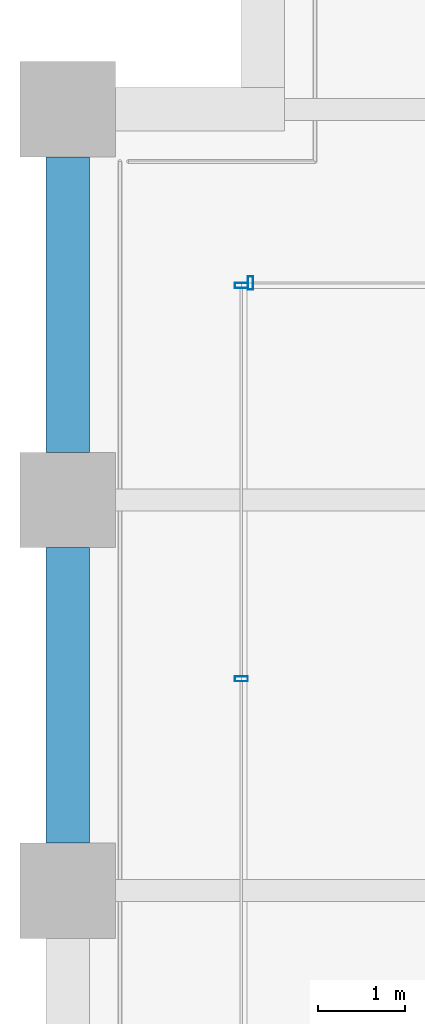
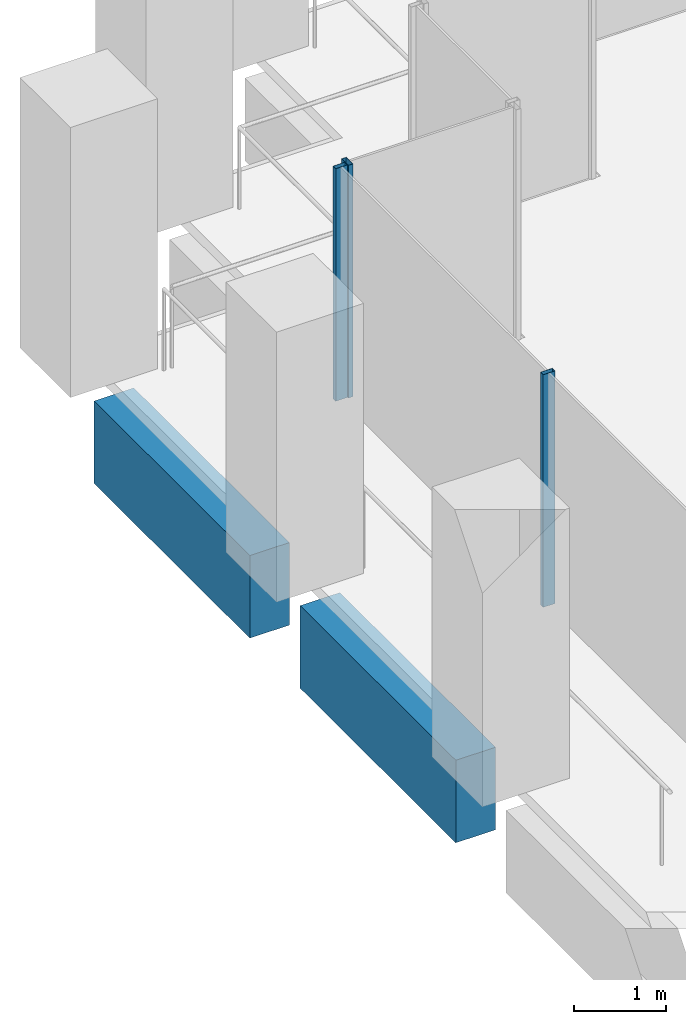
# One storey, part 23 of 54: 3 members, 2 beams, 2 elements without a shape of their own.
"""IFC4 building model written with IfcOpenShell, lengths in metres."""

import ifcopenshell
import ifcopenshell.guid

model = None  # the IFC model being written
_history = None  # IfcOwnerHistory: only IFC2X3 demands one
_inside = {}  # id of a spatial element -> (the spatial element, [elements in it])
_under = {}  # id of a project, library or spatial element -> (it, [spatial elements below it])
_declared = {}  # id of a project -> (the project, [libraries it declares])
_typed = {}  # id of a type object -> (the type object, [elements of that type])
_made_of = {}  # id of a material, layer set ... -> (it, [elements and type objects made of it])


def new_model(schema):
    """Start an empty IFC model of exactly this schema.

    Asked for "IFC4X3", IfcOpenShell would pick the latest addendum, in which some entities
    have other attributes; the version numbers below select the first issue.
    IFC2X3 requires an IfcOwnerHistory on every rooted entity: one is made here for all.
    """
    global model, _history
    if schema == "IFC4X3":
        model = ifcopenshell.file(schema_version=(4, 3, 0, 0))
    else:
        model = ifcopenshell.file(schema=schema)
    _inside.clear()
    _under.clear()
    _declared.clear()
    _typed.clear()
    _made_of.clear()
    _history = None
    if model.schema == "IFC2X3":
        org = make("IfcOrganization", Name="unknown")
        user = make(
            "IfcPersonAndOrganization",
            ThePerson=make("IfcPerson", FamilyName="unknown"),
            TheOrganization=org,
        )
        app = make(
            "IfcApplication",
            ApplicationDeveloper=org,
            Version="unknown",
            ApplicationFullName="unknown",
            ApplicationIdentifier="unknown",
        )
        _history = make(
            "IfcOwnerHistory",
            OwningUser=user,
            OwningApplication=app,
            ChangeAction="ADDED",
            CreationDate=0,
        )
    return model


def make(cls, **values):
    """One entity of the class cls with the attributes given. An attribute that is None is left unset."""
    return model.create_entity(
        cls, **{name: value for name, value in values.items() if value is not None}
    )


def rooted(cls, **values):
    """An entity with a GlobalId (a new one), such as an element, a storey or a relation."""
    return make(cls, GlobalId=ifcopenshell.guid.new(), OwnerHistory=_history, **values)


def si_unit(unit_type, name, prefix=None):
    """IfcSIUnit, for example si_unit("LENGTHUNIT", "METRE", prefix="MILLI")."""
    return make("IfcSIUnit", UnitType=unit_type, Prefix=prefix, Name=name)


def assignment(units):
    """IfcUnitAssignment: the units of a project."""
    return None if units is None else make("IfcUnitAssignment", Units=units)


def point(xyz):
    """IfcCartesianPoint."""
    return None if xyz is None else make("IfcCartesianPoint", Coordinates=xyz)


def direction(xyz):
    """IfcDirection."""
    return None if xyz is None else make("IfcDirection", DirectionRatios=xyz)


def frame(location, z_axis=None, x_axis=None):
    """IfcAxis2Placement3D, a coordinate frame: its origin and axes. An axis left out is left unset."""
    return make(
        "IfcAxis2Placement3D",
        Location=point(location),
        Axis=direction(z_axis),
        RefDirection=direction(x_axis),
    )


def frame_2d(location, x_axis=None):
    """IfcAxis2Placement2D, a coordinate frame in the plane: its origin and x axis."""
    return make(
        "IfcAxis2Placement2D", Location=point(location), RefDirection=direction(x_axis)
    )


def origin():
    """The frame at (0, 0, 0) with its axes left unset."""
    return frame((0.0, 0.0, 0.0))


def origin_2d():
    """The frame at (0, 0) in the plane with its x axis left unset."""
    return frame_2d((0.0, 0.0))


def place(relative_to, where):
    """IfcLocalPlacement: puts the frame where relative to a parent placement (None: the world)."""
    return make(
        "IfcLocalPlacement", PlacementRelTo=relative_to, RelativePlacement=where
    )


def context(
    kind, dimensions, precision=None, world=None, true_north=None, identifier=None
):
    """IfcGeometricRepresentationContext, for example the 3D "Model" context."""
    return make(
        "IfcGeometricRepresentationContext",
        ContextIdentifier=identifier,
        ContextType=kind,
        CoordinateSpaceDimension=dimensions,
        Precision=precision,
        WorldCoordinateSystem=world,
        TrueNorth=true_north,
    )


def subcontext(parent, identifier, kind, view, scale=None):
    """IfcGeometricRepresentationSubContext, for example "Body" below "Model"."""
    return make(
        "IfcGeometricRepresentationSubContext",
        ContextIdentifier=identifier,
        ContextType=kind,
        ParentContext=parent,
        TargetScale=scale,
        TargetView=view,
    )


def project(units=None, contexts=None):
    """IfcProject with its units and contexts."""
    return rooted(
        "IfcProject",
        Name="project",
        RepresentationContexts=contexts,
        UnitsInContext=assignment(units),
    )


def spatial(cls, under=None, at=None, **own):
    """A site, building, storey or space (cls), placed at a placement, below another one or the project."""
    s = rooted(cls, ObjectPlacement=at, **own)
    if under is not None:
        _under.setdefault(under.id(), (under, []))[1].append(s)
    return s


def profile(cls, at=None, kind="AREA", **sizes):
    """A parametric profile (cls). Its sizes go by their IFC names, for example OverallWidth=200.0."""
    return make(cls, ProfileType=kind, Position=at, **sizes)


def rectangle(**sizes):
    """IfcRectangleProfileDef."""
    return profile("IfcRectangleProfileDef", **sizes)


def hollow_rectangle(**sizes):
    """IfcRectangleHollowProfileDef."""
    return profile("IfcRectangleHollowProfileDef", **sizes)


def extrude(swept, where, along, depth):
    """IfcExtrudedAreaSolid: the profile swept, set in the frame where, extruded along a direction by depth."""
    return make(
        "IfcExtrudedAreaSolid",
        SweptArea=swept,
        Position=where,
        ExtrudedDirection=direction(along),
        Depth=depth,
    )


def shape(context_of_items, identifier, shape_type, items):
    """IfcShapeRepresentation: the items that make up one representation, for example the "Body"."""
    return make(
        "IfcShapeRepresentation",
        ContextOfItems=context_of_items,
        RepresentationIdentifier=identifier,
        RepresentationType=shape_type,
        Items=items,
    )


def material(Name=None, Category=None):
    """IfcMaterial."""
    return make("IfcMaterial", Name=Name, Category=Category)


def material_profile(
    of_material, cross_section, Name=None, Category=None, Priority=None
):
    """IfcMaterialProfile: a cross section and its material."""
    return make(
        "IfcMaterialProfile",
        Name=Name,
        Material=of_material,
        Profile=cross_section,
        Priority=Priority,
        Category=Category,
    )


def profile_set(profiles, Name=None, composite=None):
    """IfcMaterialProfileSet."""
    return make(
        "IfcMaterialProfileSet",
        Name=Name,
        MaterialProfiles=profiles,
        CompositeProfile=composite,
    )


def made_of(thing, what):
    """Note that an element or type object is made of a material, layer set ...; save() writes the relation."""
    if what is not None:
        _made_of.setdefault(what.id(), (what, []))[1].append(thing)
    return thing


def type_object(cls, material=None, **own):
    """A type object (cls), such as IfcWallType, which elements share."""
    return made_of(rooted(cls, **own), material)


def element(
    cls,
    number,
    at=None,
    inside=None,
    cuts=None,
    type_object=None,
    material=None,
    context=None,
    identifier="Body",
    shape_type=None,
    held_by="IfcProductDefinitionShape",
    body=None,
    shapes=None,
    **own,
):
    """One element of the class cls, such as IfcWall. Its Tag is "e" and its number.

    at: its placement. inside: the storey or other place that contains it. cuts: it is an
    opening in that element (IfcRelVoidsElement). A single representation is given by context,
    identifier, shape_type and body (its items); several are given by shapes. held_by: the class
    of the entity that holds the representations. save() writes the other relations.
    """
    e = rooted(cls, Tag="e%d" % number, ObjectPlacement=at, **own)
    if body is not None:
        shapes = [shape(context, identifier, shape_type, body)]
    if shapes is not None:
        e.Representation = make(held_by, Representations=shapes)
    if inside is not None:
        _inside.setdefault(inside.id(), (inside, []))[1].append(e)
    if cuts is not None:
        rooted(
            "IfcRelVoidsElement", RelatingBuildingElement=cuts, RelatedOpeningElement=e
        )
    if type_object is not None:
        _typed.setdefault(type_object.id(), (type_object, []))[1].append(e)
    return made_of(e, material)


def aggregate(whole, parts):
    """IfcRelAggregates: a whole, such as a stair, and the parts it consists of."""
    return rooted("IfcRelAggregates", RelatingObject=whole, RelatedObjects=parts)


def save(model, path):
    """Write the relations noted so far, then the file.

    IfcRelAggregates (storeys below a building ...), IfcRelContainedInSpatialStructure (elements
    in a storey), IfcRelDefinesByType, IfcRelAssociatesMaterial and IfcRelDeclares: one each for
    every whole, place, type object, material and project.
    """
    for whole, parts in _under.values():
        aggregate(whole, parts)
    for where, things in _inside.values():
        rooted(
            "IfcRelContainedInSpatialStructure",
            RelatedElements=things,
            RelatingStructure=where,
        )
    for kind, things in _typed.values():
        rooted("IfcRelDefinesByType", RelatedObjects=things, RelatingType=kind)
    for what, things in _made_of.values():
        rooted("IfcRelAssociatesMaterial", RelatedObjects=things, RelatingMaterial=what)
    for by, libraries in _declared.values():
        rooted("IfcRelDeclares", RelatingContext=by, RelatedDefinitions=libraries)
    model.write(path)


model = new_model("IFC4")

# Units and contexts
model_context = context("Model", 3, precision=1e-05, world=origin(), true_north=direction((0.0, 1.0)))
body_context = subcontext(model_context, "Body", "Model", "MODEL_VIEW")
ifc_project = project(units=[si_unit("LENGTHUNIT", "METRE"), si_unit("AREAUNIT", "SQUARE_METRE"), si_unit("VOLUMEUNIT", "CUBIC_METRE"), si_unit("PLANEANGLEUNIT", "RADIAN"), si_unit("MASSUNIT", "GRAM", prefix="KILO")], contexts=[model_context])

# Site, building, storey
site_placement = place(None, origin())
site = spatial("IfcSite", under=ifc_project, at=site_placement, CompositionType="ELEMENT")
building_placement = place(site_placement, origin())
building = spatial("IfcBuilding", under=site, at=building_placement, Name="Altepetl Exchange Towers", CompositionType="ELEMENT")
storey_placement = place(building_placement, frame((0.0, 0.0, 58.199951171875)))
storey = spatial("IfcBuildingStorey", under=building, at=storey_placement, Name="L13", CompositionType="ELEMENT", Elevation=58.199951171875)

# Curtain wall, member
ifc_material_1 = material(Name="Aluminium 6063-T6 glazing", Category="aluminium")
curtain_wall_type = type_object("IfcCurtainWallType", Name="Loggia glazing system", PredefinedType="NOTDEFINED", material=ifc_material_1)
curtain_wall_1_placement = place(storey_placement, origin())
curtain_wall_1 = element("IfcCurtainWall", 1, at=curtain_wall_1_placement, inside=storey, type_object=curtain_wall_type, Name="CW1 run", PredefinedType="NOTDEFINED")
ifc_material_2 = material(Name="Aluminium 6063-T6", Category="aluminium")
ifc_material_profile_1 = material_profile(ifc_material_2, hollow_rectangle(XDim=0.06005859375, YDim=0.14990234375, WallThickness=0.0029296875, at=origin_2d()), Name="Mullion 60x150 aluminium")
ifc_profile_set_1 = profile_set([ifc_material_profile_1], Name="Aluminium 6063-T6")
member_type = type_object("IfcMemberType", Name="Mullion 60x150 aluminium", PredefinedType="MULLION", material=ifc_profile_set_1)
member_1_placement = place(storey_placement, frame((29.10498046875, 65.5, 0.0), z_axis=(0.0, 0.0, 1.0), x_axis=(-1.0, 0.0, 0.0)))
member_1 = element("IfcMember", 2, at=member_1_placement, type_object=member_type, Name="MU1 mullion", PredefinedType="MULLION", context=body_context, shape_type="SweptSolid", body=[
    extrude(hollow_rectangle(XDim=0.06005859375, YDim=0.14990234375, WallThickness=0.0029296875, at=origin_2d()), origin(), (0.0, 0.0, 1.0), 3.10009765625),
])
aggregate(curtain_wall_1, [member_1])

# Curtain wall, members
curtain_wall_2_placement = place(storey_placement, origin())
curtain_wall_2 = element("IfcCurtainWall", 3, at=curtain_wall_2_placement, inside=storey, type_object=curtain_wall_type, Name="CW1 run", PredefinedType="NOTDEFINED")
member_2_placement = place(storey_placement, frame((29.0, 65.469970703125, 0.0), z_axis=(0.0, 0.0, 1.0), x_axis=(0.0, -1.0, 0.0)))
member_2 = element("IfcMember", 4, at=member_2_placement, type_object=member_type, Name="MU1 mullion", PredefinedType="MULLION", context=body_context, shape_type="SweptSolid", body=[
    extrude(hollow_rectangle(XDim=0.06005859375, YDim=0.14990234375, WallThickness=0.0029296875, at=origin_2d()), origin(), (0.0, 0.0, 1.0), 3.10009765625),
])
member_3_placement = place(storey_placement, frame((29.0, 60.939208984375, 0.0), z_axis=(0.0, 0.0, 1.0), x_axis=(0.0, -1.0, 0.0)))
member_3 = element("IfcMember", 5, at=member_3_placement, type_object=member_type, Name="MU1 mullion", PredefinedType="MULLION", context=body_context, shape_type="SweptSolid", body=[
    extrude(hollow_rectangle(XDim=0.06005859375, YDim=0.14990234375, WallThickness=0.0029296875, at=origin_2d()), origin(), (0.0, 0.0, 1.0), 3.10009765625),
])
aggregate(curtain_wall_2, [member_2, member_3])

# Beams
ifc_material_3 = material(Name="Concrete C50/60 precast with tezontle facing", Category="concrete")
ifc_material_profile_2 = material_profile(ifc_material_3, rectangle(XDim=0.5, YDim=1.10009765625, at=origin_2d()), Name="500 x 1100")
ifc_profile_set_2 = profile_set([ifc_material_profile_2], Name="Concrete C50/60 precast with tezontle facing")
beam_type = type_object("IfcBeamType", Name="Spandrel beam 500x1100 tezontle", PredefinedType="SPANDREL", material=ifc_profile_set_2)
for number, where, z_axis, x_axis, name in (
    (6, (27.0, 66.949951171875, -0.699951171875), (0.0, -1.0, 0.0), (1.0, 0.0, 0.0), "sp:A:L13:036"),
    (7, (27.0, 62.449951171875, -0.699951171875), (0.0, -1.0, 0.0), (1.0, 0.0, 0.0), "sp:A:L13:037"),
):
    element("IfcBeam", number, at=place(storey_placement, frame(where, z_axis=z_axis, x_axis=x_axis)), inside=storey, type_object=beam_type, Name=name, PredefinedType="SPANDREL", context=body_context, shape_type="SweptSolid", body=[
        extrude(rectangle(XDim=0.5, YDim=1.10009765625, at=origin_2d()), origin(), (0.0, 0.0, 1.0), 3.39990234375),
    ])

save(model, "model.ifc")
